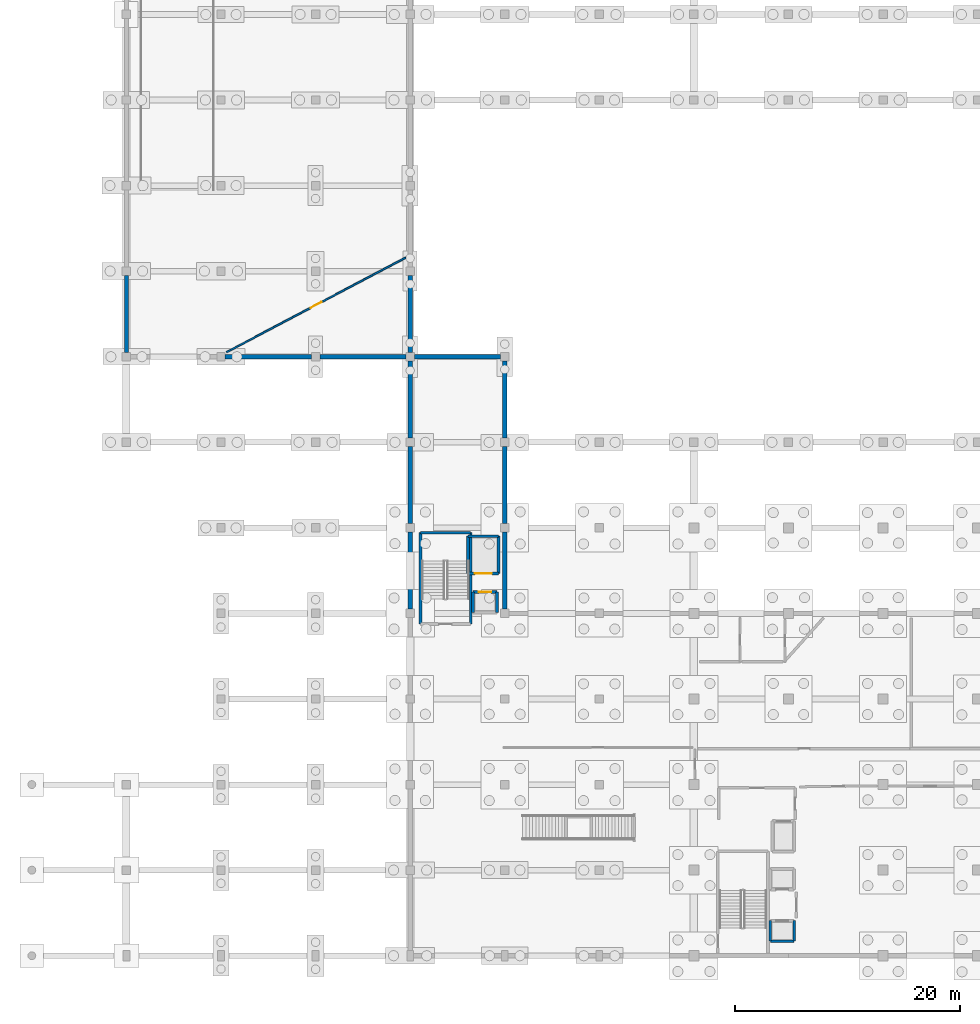
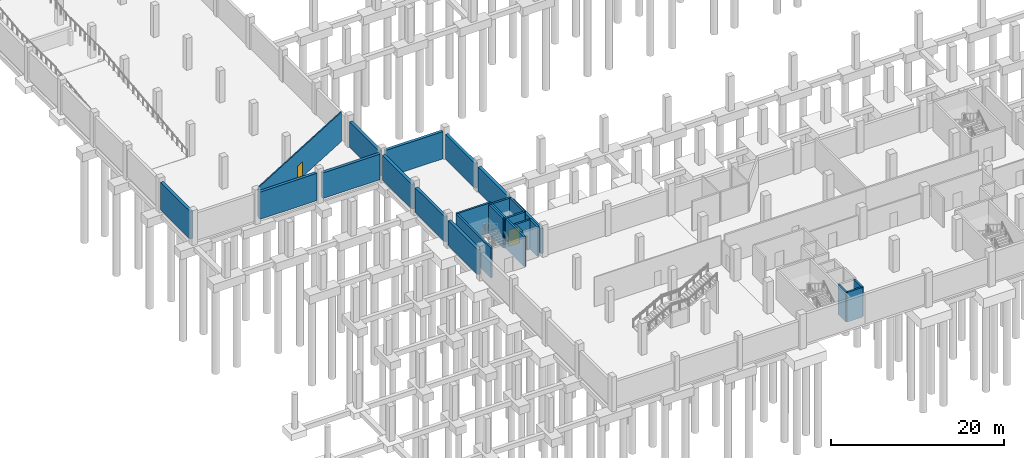
# One storey, part 13 of 22: 25 walls, 3 doors, 3 openings.
"""IFC4 building model written with IfcOpenShell, lengths in metres."""

from ifc_helpers import new_model, si_unit, direction, frame, frame_2d, origin, place, context, subcontext, project, spatial, rectangle, extrude, material, layer, layer_set, type_object, element, fill, save


model = new_model("IFC4")

# Units and contexts
model_context = context("Model", 3, precision=1e-05, world=origin(), true_north=direction((0.0, 1.0)))
body_context = subcontext(model_context, "Body", "Model", "MODEL_VIEW")
ifc_project = project(units=[si_unit("LENGTHUNIT", "METRE"), si_unit("AREAUNIT", "SQUARE_METRE"), si_unit("VOLUMEUNIT", "CUBIC_METRE"), si_unit("PLANEANGLEUNIT", "RADIAN"), si_unit("MASSUNIT", "GRAM", prefix="KILO")], contexts=[model_context])

# Site, building, storey
site_placement = place(None, origin())
site = spatial("IfcSite", under=ifc_project, at=site_placement, CompositionType="ELEMENT")
building_placement = place(site_placement, origin())
building = spatial("IfcBuilding", under=site, at=building_placement, Name="Zuvorla Pavilion Media Centre", CompositionType="ELEMENT")
storey_placement = place(building_placement, frame((0.0, 0.0, -4.5)))
storey = spatial("IfcBuildingStorey", under=building, at=storey_placement, Name="B01", CompositionType="ELEMENT", Elevation=-4.5)

# Walls
ifc_material_1 = material(Name="Concrete C40/50", Category="concrete")
ifc_layer_1 = layer(ifc_material_1, 0.25)
ifc_layer_set_1 = layer_set([ifc_layer_1], Name="Concrete C40/50")
wall_type_1 = type_object("IfcWallType", Name="WL-COR-250", PredefinedType="SHEAR", material=ifc_layer_set_1)
wall_1_placement = place(storey_placement, frame((73.590087890625, 7.2900390625, 0.0), z_axis=(0.0, 0.0, 1.0), x_axis=(1.0, 0.0, 0.0)))
element("IfcWall", 1, at=wall_1_placement, inside=storey, type_object=wall_type_1, Name="B01 shear wall CW25 61", PredefinedType="SHEAR", context=body_context, shape_type="SweptSolid", body=[
    extrude(rectangle(XDim=2.119873046875, YDim=0.25, at=frame_2d((1.06005859375, 0.0))), origin(), (0.0, 0.0, 1.0), 4.179931640625),
])
for number, where, z_axis, x_axis, name in (
    (2, (73.590087890625, 7.2900390625, 0.0), (0.0, 0.0, 1.0), (0.0, 1.0, 0.0), "B01 shear wall CW25 63"),
    (3, (75.7099609375, 7.2900390625, 0.0), (0.0, 0.0, 1.0), (0.0, 1.0, 0.0), "B01 shear wall CW25 64"),
):
    element("IfcWall", number, at=place(storey_placement, frame(where, z_axis=z_axis, x_axis=x_axis)), inside=storey, type_object=wall_type_1, Name=name, PredefinedType="SHEAR", context=body_context, shape_type="SweptSolid", body=[
        extrude(rectangle(XDim=1.820068359375, YDim=0.25, at=frame_2d((0.91015625, 0.0))), origin(), (0.0, 0.0, 1.0), 4.179931640625),
    ])
for number, where, z_axis, x_axis, name in (
    (4, (42.52490234375, 35.47509765625, 0.0), (0.0, 0.0, 1.0), (0.0, 1.0, 0.0), "B01 shear wall CW25 237"),
    (5, (46.97509765625, 35.47509765625, 0.0), (0.0, 0.0, 1.0), (0.0, 1.0, 0.0), "B01 shear wall CW25 238"),
):
    element("IfcWall", number, at=place(storey_placement, frame(where, z_axis=z_axis, x_axis=x_axis)), inside=storey, type_object=wall_type_1, Name=name, PredefinedType="SHEAR", context=body_context, shape_type="SweptSolid", body=[
        extrude(rectangle(XDim=8.099853515625, YDim=0.25, at=frame_2d((4.0498046875, 0.0))), origin(), (0.0, 0.0, 1.0), 4.179931640625),
    ])
wall_2_placement = place(storey_placement, frame((42.52490234375, 43.574951171875, 0.0), z_axis=(0.0, 0.0, 1.0), x_axis=(1.0, 0.0, 0.0)))
element("IfcWall", 6, at=wall_2_placement, inside=storey, type_object=wall_type_1, Name="B01 shear wall CW25 239", PredefinedType="SHEAR", context=body_context, shape_type="SweptSolid", body=[
    extrude(rectangle(XDim=4.4501953125, YDim=0.25, at=frame_2d((2.22509765625, 0.0))), origin(), (0.0, 0.0, 1.0), 4.179931640625),
])

# Wall, opening, door
wall_3_placement = place(storey_placement, frame((47.18994140625, 38.31005859375, 0.0), z_axis=(0.0, 0.0, 1.0), x_axis=(1.0, 0.0, 0.0)))
wall_3 = element("IfcWall", 7, at=wall_3_placement, inside=storey, type_object=wall_type_1, Name="B01 shear wall CW25 262", PredefinedType="SHEAR", context=body_context, shape_type="SweptSolid", body=[
    extrude(rectangle(XDim=2.1201171875, YDim=0.25, at=frame_2d((1.06005859375, 0.0))), origin(), (0.0, 0.0, 1.0), 4.179931640625),
])
opening_1_placement = place(wall_3_placement, frame((0.510009765625, 0.0, 0.0)))
opening_1 = element("IfcOpeningElement", 8, at=opening_1_placement, cuts=wall_3, Name="Opening LD01", PredefinedType="OPENING", context=body_context, shape_type="SweptSolid", body=[
    extrude(rectangle(XDim=1.10009765625, YDim=2.14990234375, at=frame_2d((0.550048828125, 1.074951171875))), frame((0.0, 0.135009765625, 0.0), z_axis=(0.0, -1.0, 0.0), x_axis=(1.0, 0.0, 0.0)), (0.0, 0.0, 1.0), 0.27001953125),
])
ifc_material_2 = material(Name="Brushed stainless steel sliding lift landing door", Category="steel")
door_type_1 = type_object("IfcDoorType", Name="DR-LFT-LD01", OperationType="SLIDING_TO_LEFT", PredefinedType="DOOR", material=ifc_material_2)
door_1_placement = place(opening_1_placement, origin())
door_1 = element("IfcDoor", 9, at=door_1_placement, inside=storey, type_object=door_type_1, Name="Lift LF-05 landing door LD01 95", OperationType="SLIDING_TO_LEFT", OverallHeight=2.14990234375, OverallWidth=1.10009765625, PredefinedType="DOOR", context=body_context, shape_type="SweptSolid", body=[
    extrude(rectangle(XDim=1.10009765625, YDim=2.14990234375, at=frame_2d((0.550048828125, 1.074951171875))), frame((0.0, 0.02490234375, 0.0), z_axis=(0.0, -1.0, 0.0), x_axis=(1.0, 0.0, 0.0)), (0.0, 0.0, 1.0), 0.050048828125),
])
fill(opening_1, door_1)

# Walls
for number, where, z_axis, x_axis, name in (
    (10, (47.18994140625, 36.489990234375, 0.0), (0.0, 0.0, 1.0), (0.0, 1.0, 0.0), "B01 shear wall CW25 263"),
    (11, (49.31005859375, 36.489990234375, 0.0), (0.0, 0.0, 1.0), (0.0, 1.0, 0.0), "B01 shear wall CW25 264"),
):
    element("IfcWall", number, at=place(storey_placement, frame(where, z_axis=z_axis, x_axis=x_axis)), inside=storey, type_object=wall_type_1, Name=name, PredefinedType="SHEAR", context=body_context, shape_type="SweptSolid", body=[
        extrude(rectangle(XDim=1.820068359375, YDim=0.25, at=frame_2d((0.91015625, 0.0))), origin(), (0.0, 0.0, 1.0), 4.179931640625),
    ])

# Wall, opening, door
wall_4_placement = place(storey_placement, frame((46.739990234375, 39.93994140625, 0.0), z_axis=(0.0, 0.0, 1.0), x_axis=(1.0, 0.0, 0.0)))
wall_4 = element("IfcWall", 12, at=wall_4_placement, inside=storey, type_object=wall_type_1, Name="B01 shear wall CW25 281", PredefinedType="SHEAR", context=body_context, shape_type="SweptSolid", body=[
    extrude(rectangle(XDim=2.719970703125, YDim=0.25, at=frame_2d((1.35986328125, 0.0))), origin(), (0.0, 0.0, 1.0), 4.179931640625),
])
opening_2_placement = place(wall_4_placement, frame((0.610107421875, 0.0, 0.0)))
opening_2 = element("IfcOpeningElement", 13, at=opening_2_placement, cuts=wall_4, Name="Opening LD03", PredefinedType="OPENING", context=body_context, shape_type="SweptSolid", body=[
    extrude(rectangle(XDim=1.5, YDim=2.300048828125, at=frame_2d((0.75, 1.14990234375))), frame((0.0, 0.135009765625, 0.0), z_axis=(0.0, -1.0, 0.0), x_axis=(1.0, 0.0, 0.0)), (0.0, 0.0, 1.0), 0.27001953125),
])
door_type_2 = type_object("IfcDoorType", Name="DR-LFT-LD03", OperationType="SLIDING_TO_LEFT", PredefinedType="DOOR", material=ifc_material_2)
door_2_placement = place(opening_2_placement, origin())
door_2 = element("IfcDoor", 14, at=door_2_placement, inside=storey, type_object=door_type_2, Name="Lift LF-06 landing door LD03 100", OperationType="SLIDING_TO_LEFT", OverallHeight=2.300048828125, OverallWidth=1.5, PredefinedType="DOOR", context=body_context, shape_type="SweptSolid", body=[
    extrude(rectangle(XDim=1.5, YDim=2.300048828125, at=frame_2d((0.75, 1.14990234375))), frame((0.0, 0.02490234375, 0.0), z_axis=(0.0, -1.0, 0.0), x_axis=(1.0, 0.0, 0.0)), (0.0, 0.0, 1.0), 0.050048828125),
])
fill(opening_2, door_2)

# Walls
wall_5_placement = place(storey_placement, frame((46.739990234375, 43.260009765625, 0.0), z_axis=(0.0, 0.0, 1.0), x_axis=(1.0, 0.0, 0.0)))
element("IfcWall", 15, at=wall_5_placement, inside=storey, type_object=wall_type_1, Name="B01 shear wall CW25 282", PredefinedType="SHEAR", context=body_context, shape_type="SweptSolid", body=[
    extrude(rectangle(XDim=2.719970703125, YDim=0.25, at=frame_2d((1.35986328125, 0.0))), origin(), (0.0, 0.0, 1.0), 4.179931640625),
])
for number, where, z_axis, x_axis, name in (
    (16, (46.739990234375, 39.93994140625, 0.0), (0.0, 0.0, 1.0), (0.0, 1.0, 0.0), "B01 shear wall CW25 283"),
    (17, (49.4599609375, 39.93994140625, 0.0), (0.0, 0.0, 1.0), (0.0, 1.0, 0.0), "B01 shear wall CW25 284"),
):
    element("IfcWall", number, at=place(storey_placement, frame(where, z_axis=z_axis, x_axis=x_axis)), inside=storey, type_object=wall_type_1, Name=name, PredefinedType="SHEAR", context=body_context, shape_type="SweptSolid", body=[
        extrude(rectangle(XDim=3.320068359375, YDim=0.25, at=frame_2d((1.66015625, 0.0))), origin(), (0.0, 0.0, 1.0), 4.179931640625),
    ])
ifc_material_3 = material(Name="Dark charcoal terracotta concrete C40/50", Category="masonry")
ifc_layer_2 = layer(ifc_material_3, 0.3798828125)
ifc_layer_set_2 = layer_set([ifc_layer_2], Name="Dark charcoal terracotta concrete C40/50")
wall_type_2 = type_object("IfcWallType", Name="WL-EXT-380", PredefinedType="SOLIDWALL", material=ifc_layer_set_2)
for number, where, z_axis, x_axis, name in (
    (18, (50.0, 36.77490234375, 0.0), (0.0, 0.0, 1.0), (0.0, 1.0, 0.0), "B01 exterior solid wall EW01 20"),
    (19, (50.0, 44.375, 0.0), (0.0, 0.0, 1.0), (0.0, 1.0, 0.0), "B01 exterior solid wall EW01 21"),
):
    element("IfcWall", number, at=place(storey_placement, frame(where, z_axis=z_axis, x_axis=x_axis)), inside=storey, type_object=wall_type_2, Name=name, PredefinedType="SOLIDWALL", context=body_context, shape_type="SweptSolid", body=[
        extrude(rectangle(XDim=6.85009765625, YDim=0.3798828125, at=frame_2d((3.425048828125, 0.0))), origin(), (0.0, 0.0, 1.0), 3.51025390625),
    ])
wall_6_placement = place(storey_placement, frame((50.0, 51.97509765625, 0.0), z_axis=(0.0, 0.0, 1.0), x_axis=(0.0, 1.0, 0.0)))
element("IfcWall", 20, at=wall_6_placement, inside=storey, type_object=wall_type_2, Name="B01 exterior solid wall EW01 22", PredefinedType="SOLIDWALL", context=body_context, shape_type="SweptSolid", body=[
    extrude(rectangle(XDim=6.849853515625, YDim=0.3798828125, at=frame_2d((3.4248046875, 0.0))), origin(), (0.0, 0.0, 1.0), 3.51025390625),
])
wall_7_placement = place(storey_placement, frame((49.625, 59.199951171875, 0.0), z_axis=(0.0, 0.0, 1.0), x_axis=(-1.0, 0.0, 0.0)))
element("IfcWall", 21, at=wall_7_placement, inside=storey, type_object=wall_type_2, Name="B01 exterior solid wall EW01 23", PredefinedType="SOLIDWALL", context=body_context, shape_type="SweptSolid", body=[
    extrude(rectangle(XDim=7.64990234375, YDim=0.3798828125, at=frame_2d((3.824951171875, 0.0))), origin(), (0.0, 0.0, 1.0), 3.846923828125),
])
wall_8_placement = place(storey_placement, frame((41.60009765625, 59.574951171875, 0.0), z_axis=(0.0, 0.0, 1.0), x_axis=(0.0, 1.0, 0.0)))
element("IfcWall", 22, at=wall_8_placement, inside=storey, type_object=wall_type_2, Name="B01 exterior solid wall EW01 24", PredefinedType="SOLIDWALL", context=body_context, shape_type="SweptSolid", body=[
    extrude(rectangle(XDim=6.85009765625, YDim=0.3798828125, at=frame_2d((3.425048828125, 0.0))), origin(), (0.0, 0.0, 1.0), 3.6103515625),
])
wall_9_placement = place(storey_placement, frame((16.39990234375, 66.425048828125, 0.0), z_axis=(0.0, 0.0, 1.0), x_axis=(0.0, -1.0, 0.0)))
element("IfcWall", 23, at=wall_9_placement, inside=storey, type_object=wall_type_2, Name="B01 exterior solid wall EW01 40", PredefinedType="SOLIDWALL", context=body_context, shape_type="SweptSolid", body=[
    extrude(rectangle(XDim=6.85009765625, YDim=0.3798828125, at=frame_2d((3.425048828125, 0.0))), origin(), (0.0, 0.0, 1.0), 3.89697265625),
])
wall_10_placement = place(storey_placement, frame((25.175048828125, 59.199951171875, 0.0), z_axis=(0.0, 0.0, 1.0), x_axis=(1.0, 0.0, 0.0)))
element("IfcWall", 24, at=wall_10_placement, inside=storey, type_object=wall_type_2, Name="B01 exterior solid wall EW01 42", PredefinedType="SOLIDWALL", context=body_context, shape_type="SweptSolid", body=[
    extrude(rectangle(XDim=7.64990234375, YDim=0.3798828125, at=frame_2d((3.824951171875, 0.0))), origin(), (0.0, 0.0, 1.0), 3.846923828125),
])
wall_11_placement = place(storey_placement, frame((33.574951171875, 59.199951171875, 0.0), z_axis=(0.0, 0.0, 1.0), x_axis=(1.0, 0.0, 0.0)))
element("IfcWall", 25, at=wall_11_placement, inside=storey, type_object=wall_type_2, Name="B01 exterior solid wall EW01 43", PredefinedType="SOLIDWALL", context=body_context, shape_type="SweptSolid", body=[
    extrude(rectangle(XDim=7.650146484375, YDim=0.3798828125, at=frame_2d((3.8251953125, 0.0))), origin(), (0.0, 0.0, 1.0), 3.6103515625),
])
wall_12_placement = place(storey_placement, frame((41.60009765625, 58.824951171875, 0.0), z_axis=(0.0, 0.0, 1.0), x_axis=(0.0, -1.0, 0.0)))
element("IfcWall", 26, at=wall_12_placement, inside=storey, type_object=wall_type_2, Name="B01 exterior solid wall EW01 44", PredefinedType="SOLIDWALL", context=body_context, shape_type="SweptSolid", body=[
    extrude(rectangle(XDim=6.849853515625, YDim=0.3798828125, at=frame_2d((3.4248046875, 0.0))), origin(), (0.0, 0.0, 1.0), 3.51025390625),
])
for number, where, z_axis, x_axis, name in (
    (27, (41.60009765625, 51.22509765625, 0.0), (0.0, 0.0, 1.0), (0.0, -1.0, 0.0), "B01 exterior solid wall EW01 45"),
    (28, (41.60009765625, 43.625, 0.0), (0.0, 0.0, 1.0), (0.0, -1.0, 0.0), "B01 exterior solid wall EW01 46"),
):
    element("IfcWall", number, at=place(storey_placement, frame(where, z_axis=z_axis, x_axis=x_axis)), inside=storey, type_object=wall_type_2, Name=name, PredefinedType="SOLIDWALL", context=body_context, shape_type="SweptSolid", body=[
        extrude(rectangle(XDim=6.85009765625, YDim=0.3798828125, at=frame_2d((3.425048828125, 0.0))), origin(), (0.0, 0.0, 1.0), 3.51025390625),
    ])

# Wall, opening, door
ifc_material_4 = material(Name="Acoustic gypsum stud partition")
ifc_layer_3 = layer(ifc_material_4, 0.14990234375)
ifc_layer_set_3 = layer_set([ifc_layer_3], Name="Acoustic gypsum stud partition")
wall_type_3 = type_object("IfcWallType", Name="WL-PRT-150", PredefinedType="PARTITIONING", material=ifc_layer_set_3)
wall_13_placement = place(storey_placement, frame((25.2900390625, 59.60009765625, 0.0), z_axis=(0.0, 0.0, 1.0), x_axis=(0.884315812219, 0.466889220544, 0.0)))
wall_13 = element("IfcWall", 29, at=wall_13_placement, inside=storey, type_object=wall_type_3, Name="B01 partition PT15 382", PredefinedType="PARTITIONING", context=body_context, shape_type="SweptSolid", body=[
    extrude(rectangle(XDim=17.9912109375, YDim=0.14990234375, at=frame_2d((8.99560546875, 0.0))), origin(), (0.0, 0.0, 1.0), 4.159912109375),
])
opening_3_placement = place(wall_13_placement, frame((8.455810546875, 0.0, 0.0)))
opening_3 = element("IfcOpeningElement", 30, at=opening_3_placement, cuts=wall_13, Name="Opening ID05", PredefinedType="OPENING", context=body_context, shape_type="SweptSolid", body=[
    extrude(rectangle(XDim=1.080078125, YDim=2.1201171875, at=frame_2d((0.5400390625, 1.06005859375))), frame((0.0, 0.0849609375, 0.0), z_axis=(0.0, -1.0, 0.0), x_axis=(1.0, 0.0, 0.0)), (0.0, 0.0, 1.0), 0.169921875),
])
ifc_material_5 = material(Name="Hardwood acoustic studio door in anodised frame", Category="wood")
door_type_3 = type_object("IfcDoorType", Name="DR-UNR-ID05", OperationType="NOTDEFINED", PredefinedType="DOOR", material=ifc_material_5)
door_3_placement = place(opening_3_placement, origin())
door_3 = element("IfcDoor", 31, at=door_3_placement, inside=storey, type_object=door_type_3, Name="Interior door ID05 126", OperationType="SINGLE_SWING_RIGHT", OverallHeight=2.1201171875, OverallWidth=1.080078125, PredefinedType="DOOR", context=body_context, shape_type="SweptSolid", body=[
    extrude(rectangle(XDim=1.080078125, YDim=2.1201171875, at=frame_2d((0.5400390625, 1.06005859375))), frame((0.0, 0.02490234375, 0.0), z_axis=(0.0, -1.0, 0.0), x_axis=(1.0, 0.0, 0.0)), (0.0, 0.0, 1.0), 0.050048828125),
])
fill(opening_3, door_3)

save(model, "model.ifc")
